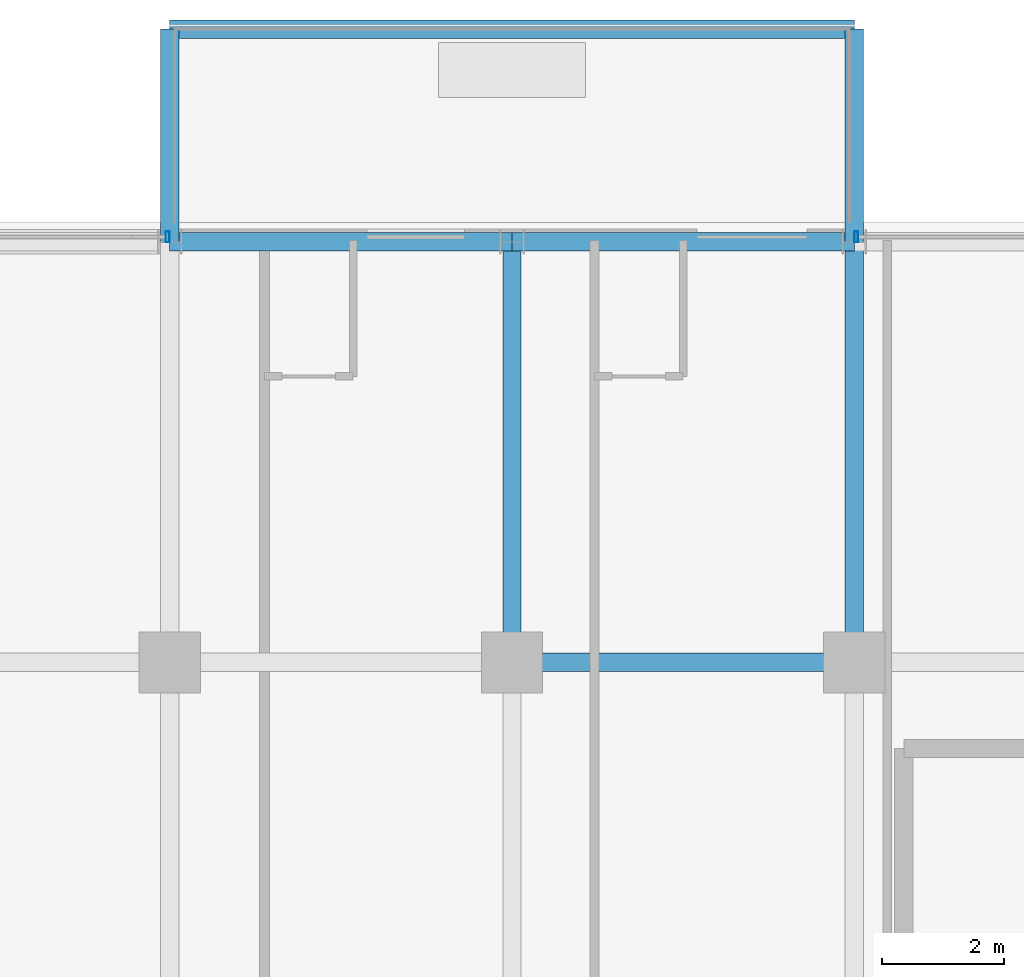
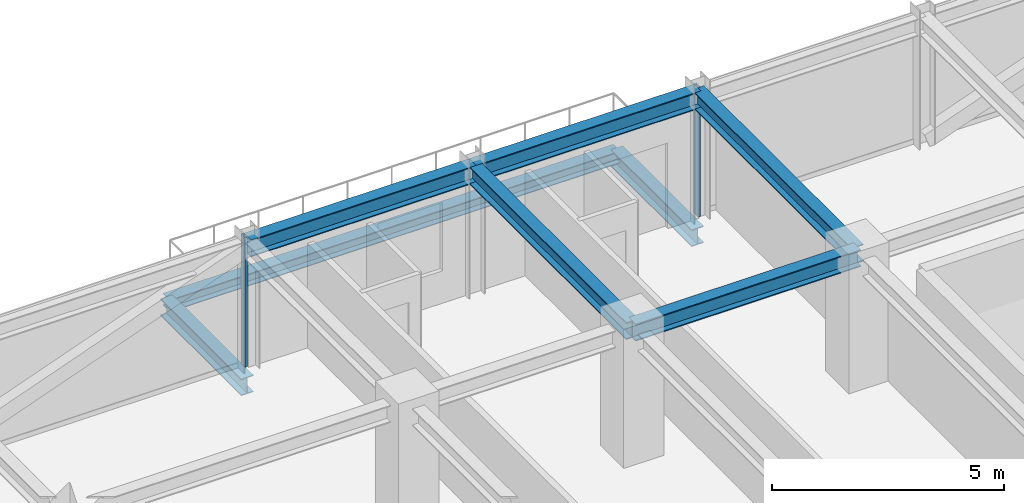
# One storey, part 22 of 41: 8 beams, 2 members, 2 elements without a shape of their own.
"""IFC4 building model written with IfcOpenShell, lengths in metres."""

from ifc_helpers import new_model, si_unit, direction, frame, origin, origin_2d, place, context, subcontext, project, spatial, hollow_rectangle, i_section, extrude, source, transform, mapped, material, material_profile, profile_set, type_object, element, aggregate, save


model = new_model("IFC4")

# Units and contexts
model_context = context("Model", 3, precision=1e-05, world=origin(), true_north=direction((0.0, 1.0)))
body_context = subcontext(model_context, "Body", "Model", "MODEL_VIEW")
ifc_project = project(units=[si_unit("LENGTHUNIT", "METRE"), si_unit("AREAUNIT", "SQUARE_METRE"), si_unit("VOLUMEUNIT", "CUBIC_METRE"), si_unit("PLANEANGLEUNIT", "RADIAN"), si_unit("MASSUNIT", "GRAM", prefix="KILO")], contexts=[model_context])

# Site, building, storey
site_placement = place(None, origin())
site = spatial("IfcSite", under=ifc_project, at=site_placement, CompositionType="ELEMENT")
building_placement = place(site_placement, origin())
building = spatial("IfcBuilding", under=site, at=building_placement, Name="Nahalor Promenade Grand Hotel", CompositionType="ELEMENT")
storey_placement = place(building_placement, frame((0.0, 0.0, 227.10009765625)))
storey = spatial("IfcBuildingStorey", under=building, at=storey_placement, Name="L58", CompositionType="ELEMENT", Elevation=227.10009765625)

# Beams
ifc_material_1 = material(Name="Steel S355JR", Category="steel")
ifc_material_profile_1 = material_profile(ifc_material_1, i_section(OverallWidth=0.3, OverallDepth=0.32, WebThickness=0.0115, FlangeThickness=0.0205, at=origin_2d()), Name="HEB 320")
ifc_profile_set_1 = profile_set([ifc_material_profile_1], Name="Steel S355JR")
beam_type_1 = type_object("IfcBeamType", Name="Beam-BalcEdge-HEB320", PredefinedType="SPANDREL", material=ifc_profile_set_1)
shared_shape_1 = source(origin(), body_context, "Body", "SweptSolid", [
    extrude(i_section(OverallWidth=0.3, OverallDepth=0.32, WebThickness=0.0115, FlangeThickness=0.0205, at=origin_2d()), origin(), (0.0, 0.0, 1.0), 11.199951171875),
])
beam_1_placement = place(storey_placement, frame((-8.39990234375, 27.360107421875, -0.440185546875), z_axis=(1.0, 0.0, 0.0), x_axis=(0.0, 1.0, 0.0)))
element("IfcBeam", 1, at=beam_1_placement, inside=storey, type_object=beam_type_1, Name="BM-L58-BC-01-F", PredefinedType="SPANDREL", context=body_context, shape_type="MappedRepresentation", body=[
    mapped(shared_shape_1, transform((0.0, 0.0, 0.0), scale=1.0)),
])
ifc_material_profile_2 = material_profile(ifc_material_1, i_section(OverallWidth=0.3, OverallDepth=0.45, WebThickness=0.014, FlangeThickness=0.026, at=origin_2d()), Name="HEB 450")
ifc_profile_set_2 = profile_set([ifc_material_profile_2], Name="Steel S355JR")
beam_type_2 = type_object("IfcBeamType", Name="Beam-Outrigger-HEB450", PredefinedType="BEAM", material=ifc_profile_set_2)
shared_shape_2 = source(origin(), body_context, "Body", "SweptSolid", [
    extrude(i_section(OverallWidth=0.3, OverallDepth=0.45, WebThickness=0.014, FlangeThickness=0.026, at=origin_2d()), origin(), (0.0, 0.0, 1.0), 3.480224609375),
])
for number, where, z_axis, x_axis, name in (
    (2, (-8.39990234375, 23.8798828125, -0.505126953125), (0.0, 1.0, 0.0), (-1.0, 0.0, 0.0), "BM-L58-BC-01-1"),
    (3, (2.800048828125, 23.8798828125, -0.505126953125), (0.0, 1.0, 0.0), (-1.0, 0.0, 0.0), "BM-L58-BC-01-2"),
):
    element("IfcBeam", number, at=place(storey_placement, frame(where, z_axis=z_axis, x_axis=x_axis)), inside=storey, type_object=beam_type_2, Name=name, PredefinedType="BEAM", context=body_context, shape_type="MappedRepresentation", body=[
        mapped(shared_shape_2, transform((0.0, 0.0, 0.0), scale=1.0)),
    ])
ifc_material_profile_3 = material_profile(ifc_material_1, i_section(OverallWidth=0.3, OverallDepth=0.45, WebThickness=0.014, FlangeThickness=0.026, at=origin_2d()), Name="HEB 450")
ifc_profile_set_3 = profile_set([ifc_material_profile_3], Name="Steel S355JR")
beam_type_3 = type_object("IfcBeamType", Name="Beam-Spandrel-HEB450", PredefinedType="SPANDREL", material=ifc_profile_set_3)
shared_shape_3 = source(origin(), body_context, "Body", "SweptSolid", [
    extrude(i_section(OverallWidth=0.3, OverallDepth=0.45, WebThickness=0.014, FlangeThickness=0.026, at=origin_2d()), origin(), (0.0, 0.0, 1.0), 5.599853515625),
])
beam_2_placement = place(storey_placement, frame((-8.39990234375, 23.8798828125, 3.184814453125), z_axis=(1.0, 0.0, 0.0), x_axis=(0.0, 1.0, 0.0)))
element("IfcBeam", 4, at=beam_2_placement, inside=storey, type_object=beam_type_3, Name="BM-L58-SP-N-1", PredefinedType="SPANDREL", context=body_context, shape_type="MappedRepresentation", body=[
    mapped(shared_shape_3, transform((0.0, 0.0, 0.0), scale=1.0)),
])
shared_shape_4 = source(origin(), body_context, "Body", "SweptSolid", [
    extrude(i_section(OverallWidth=0.3, OverallDepth=0.45, WebThickness=0.014, FlangeThickness=0.026, at=origin_2d()), origin(), (0.0, 0.0, 1.0), 5.60009765625),
])
beam_3_placement = place(storey_placement, frame((-2.800048828125, 23.8798828125, 3.184814453125), z_axis=(1.0, 0.0, 0.0), x_axis=(0.0, 1.0, 0.0)))
element("IfcBeam", 5, at=beam_3_placement, inside=storey, type_object=beam_type_3, Name="BM-L58-SP-N-2", PredefinedType="SPANDREL", context=body_context, shape_type="MappedRepresentation", body=[
    mapped(shared_shape_4, transform((0.0, 0.0, 0.0), scale=1.0)),
])
ifc_material_profile_4 = material_profile(ifc_material_1, i_section(OverallWidth=0.3, OverallDepth=0.45, WebThickness=0.014, FlangeThickness=0.026, at=origin_2d()), Name="HEB 450")
ifc_profile_set_4 = profile_set([ifc_material_profile_4], Name="Steel S355JR")
beam_type_4 = type_object("IfcBeamType", Name="Beam-Girder-HEB450", PredefinedType="BEAM", material=ifc_profile_set_4)
shared_shape_5 = source(origin(), body_context, "Body", "SweptSolid", [
    extrude(i_section(OverallWidth=0.3, OverallDepth=0.45, WebThickness=0.014, FlangeThickness=0.026, at=origin_2d()), origin(), (0.0, 0.0, 1.0), 6.8798828125),
])
for number, where, z_axis, x_axis, name in (
    (6, (-2.800048828125, 17.0, 3.184814453125), (0.0, 1.0, 0.0), (-1.0, 0.0, 0.0), "BM-L58-GY-2-4"),
    (7, (2.800048828125, 17.0, 3.184814453125), (0.0, 1.0, 0.0), (-1.0, 0.0, 0.0), "BM-L58-GY-3-4"),
):
    element("IfcBeam", number, at=place(storey_placement, frame(where, z_axis=z_axis, x_axis=x_axis)), inside=storey, type_object=beam_type_4, Name=name, PredefinedType="BEAM", context=body_context, shape_type="MappedRepresentation", body=[
        mapped(shared_shape_5, transform((0.0, 0.0, 0.0), scale=1.0)),
    ])
shared_shape_6 = source(origin(), body_context, "Body", "SweptSolid", [
    extrude(i_section(OverallWidth=0.3, OverallDepth=0.45, WebThickness=0.014, FlangeThickness=0.026, at=origin_2d()), origin(), (0.0, 0.0, 1.0), 5.60009765625),
])
beam_4_placement = place(storey_placement, frame((-2.800048828125, 17.0, 3.184814453125), z_axis=(1.0, 0.0, 0.0), x_axis=(0.0, 1.0, 0.0)))
element("IfcBeam", 8, at=beam_4_placement, inside=storey, type_object=beam_type_4, Name="BM-L58-GX-3-3", PredefinedType="BEAM", context=body_context, shape_type="MappedRepresentation", body=[
    mapped(shared_shape_6, transform((0.0, 0.0, 0.0), scale=1.0)),
])

# Curtain wall, member
ifc_material_2 = material(Name="Anodised Bronze Aluminium EN AW-6063 T6", Category="aluminium")
curtain_wall_type = type_object("IfcCurtainWallType", Name="CW2 Typical Hotel Flush Bronze Unitised Curtain Wall", PredefinedType="USERDEFINED", material=ifc_material_2)
curtain_wall_1_placement = place(storey_placement, origin())
curtain_wall_1 = element("IfcCurtainWall", 9, at=curtain_wall_1_placement, inside=storey, type_object=curtain_wall_type, Name="L58 Curtain Wall CW-L58-N-1", ObjectType="UNITISED_CURTAIN_WALL", PredefinedType="USERDEFINED")
ifc_material_profile_5 = material_profile(ifc_material_2, hollow_rectangle(XDim=0.065, YDim=0.18, WallThickness=0.004, at=origin_2d()), Name="CWM 65x180x4")
ifc_profile_set_5 = profile_set([ifc_material_profile_5], Name="Anodised Bronze Aluminium EN AW-6063 T6")
member_type = type_object("IfcMemberType", Name="CWM2 Typical Bronze Mullion 65x180", PredefinedType="MULLION", material=ifc_profile_set_5)
shared_shape_7 = source(origin(), body_context, "Body", "SweptSolid", [
    extrude(hollow_rectangle(XDim=0.065, YDim=0.18, WallThickness=0.004, at=origin_2d()), origin(), (0.0, 0.0, 1.0), 3.409912109375),
])
member_1_placement = place(storey_placement, frame((-8.4326171875, 23.9599609375, 0.0), z_axis=(0.0, 0.0, 1.0), x_axis=(1.0, 0.0, 0.0)))
member_1 = element("IfcMember", 10, at=member_1_placement, type_object=member_type, Name="CW-L58-N-1 Mullion 1", PredefinedType="MULLION", context=body_context, shape_type="MappedRepresentation", body=[
    mapped(shared_shape_7, transform((0.0, 0.0, 0.0), scale=1.0)),
])
aggregate(curtain_wall_1, [member_1])

curtain_wall_2_placement = place(storey_placement, origin())
curtain_wall_2 = element("IfcCurtainWall", 11, at=curtain_wall_2_placement, inside=storey, type_object=curtain_wall_type, Name="L58 Curtain Wall CW-L58-N-3", ObjectType="UNITISED_CURTAIN_WALL", PredefinedType="USERDEFINED")
member_2_placement = place(storey_placement, frame((2.83251953125, 23.9599609375, 0.0), z_axis=(0.0, 0.0, 1.0), x_axis=(1.0, 0.0, 0.0)))
member_2 = element("IfcMember", 12, at=member_2_placement, type_object=member_type, Name="CW-L58-N-3 Mullion 0", PredefinedType="MULLION", context=body_context, shape_type="MappedRepresentation", body=[
    mapped(shared_shape_7, transform((0.0, 0.0, 0.0), scale=1.0)),
])
aggregate(curtain_wall_2, [member_2])

save(model, "model.ifc")
